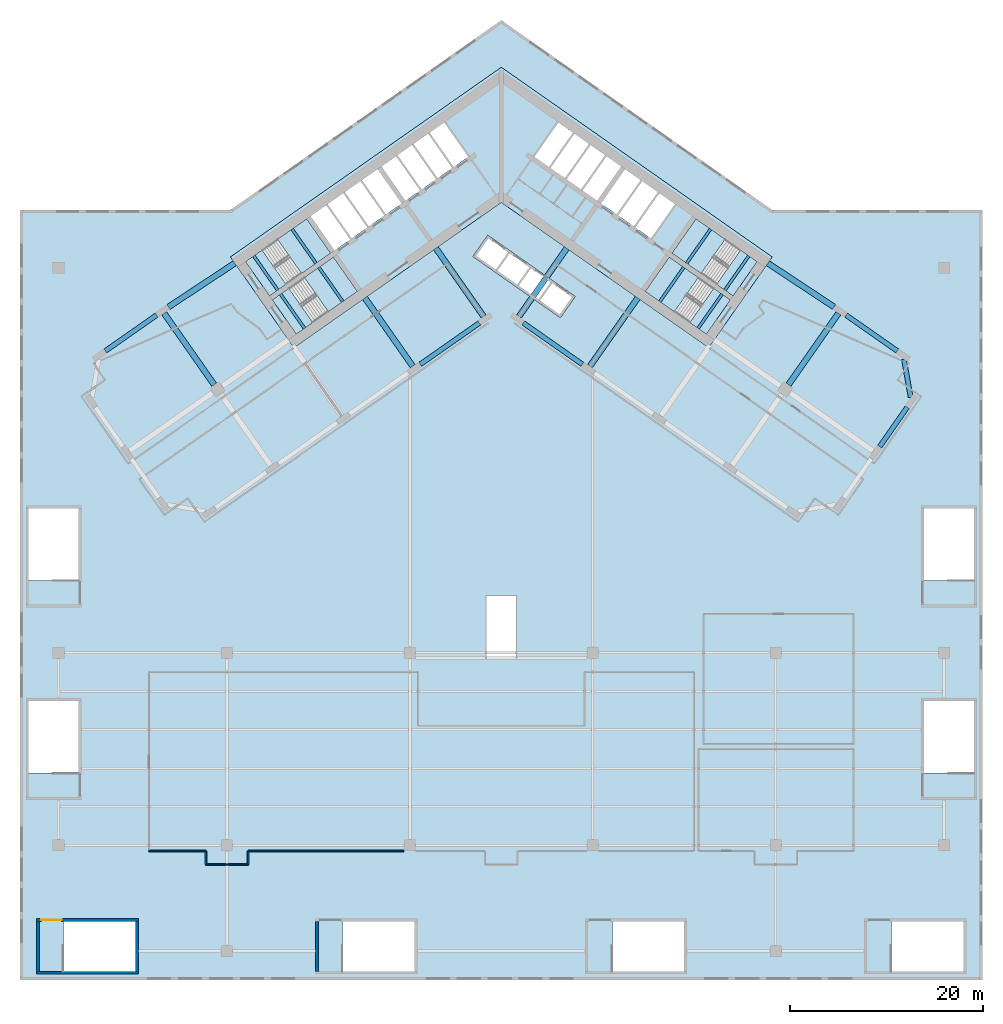
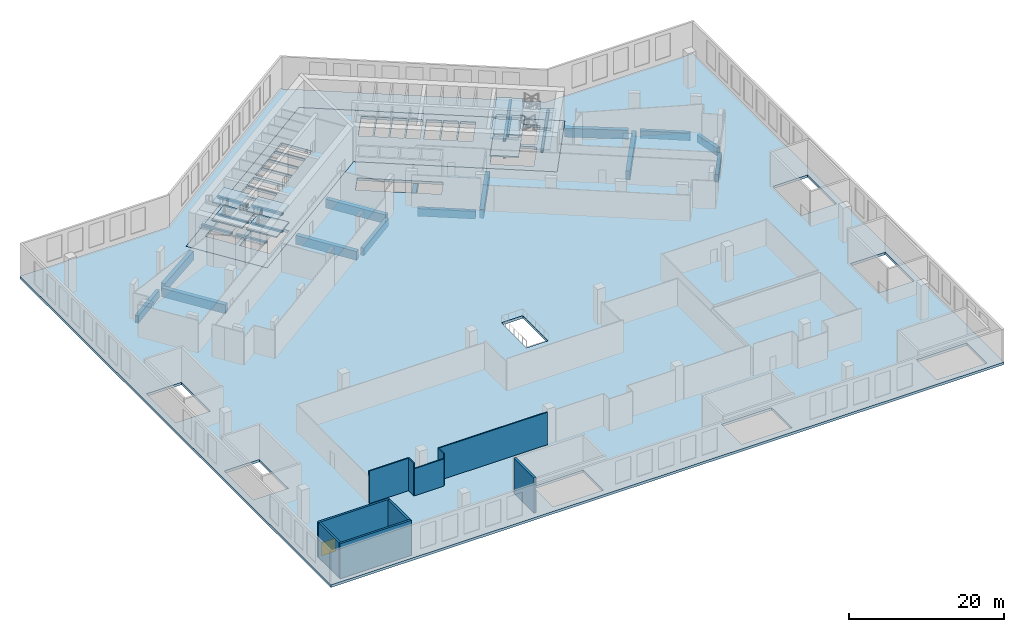
# One storey, part 2 of 15: 26 beams, 14 slabs, 10 walls, 1 door, 1 opening, 4 elements without a shape of their own.
"""IFC4 building model written with IfcOpenShell, lengths in metres."""

from ifc_helpers import new_model, si_unit, direction, frame, frame_2d, origin, origin_2d, place, context, subcontext, project, spatial, polyline, rectangle, outline, extrude, material, layer, layer_set, material_profile, profile_set, type_object, element, fill, aggregate, save


model = new_model("IFC4")

# Units and contexts
model_context = context("Model", 3, precision=1e-05, world=origin(), true_north=direction((0.0, 1.0)))
body_context = subcontext(model_context, "Body", "Model", "MODEL_VIEW")
ifc_project = project(units=[si_unit("LENGTHUNIT", "METRE"), si_unit("AREAUNIT", "SQUARE_METRE"), si_unit("VOLUMEUNIT", "CUBIC_METRE"), si_unit("PLANEANGLEUNIT", "RADIAN"), si_unit("MASSUNIT", "GRAM", prefix="KILO")], contexts=[model_context])

# Site, building, storey
site_placement = place(None, origin())
site = spatial("IfcSite", under=ifc_project, at=site_placement, CompositionType="ELEMENT")
building_placement = place(site_placement, origin())
building = spatial("IfcBuilding", under=site, at=building_placement, Name="Tel Ilan Convention Tower", CompositionType="ELEMENT")
storey_placement = place(building_placement, frame((0.0, 0.0, 43.0)))
storey = spatial("IfcBuildingStorey", under=building, at=storey_placement, Name="L06", CompositionType="ELEMENT", Elevation=43.0)

# Beams
ifc_material_1 = material(Name="Concrete C40/50", Category="concrete")
ifc_material_profile_1 = material_profile(ifc_material_1, rectangle(XDim=0.5, YDim=1.199951171875, at=origin_2d()), Name="RC 500x1200")
ifc_profile_set_1 = profile_set([ifc_material_profile_1], Name="Concrete C40/50")
beam_type_1 = type_object("IfcBeamType", Name="Beam RC 500x1200 Concrete C40/50", PredefinedType="BEAM", material=ifc_profile_set_1)
beam_1_placement = place(storey_placement, frame((-2.279541015625, -13.742919921875, -1.0), z_axis=(-0.819147803225, -0.57358249317, 0.0), x_axis=(0.57358249317, -0.819147803225, 0.0)))
element("IfcBeam", 1, at=beam_1_placement, inside=storey, type_object=beam_type_1, Name="L06 beam W-W-F1-W-F2", PredefinedType="BEAM", context=body_context, shape_type="SweptSolid", body=[
    extrude(rectangle(XDim=0.5, YDim=1.199951171875, at=origin_2d()), origin(), (0.0, 0.0, 1.0), 7.500244140625),
])
beam_2_placement = place(storey_placement, frame((-41.135498046875, -16.656494140625, -1.0), z_axis=(0.819178980414, 0.573537965655, 0.0), x_axis=(-0.573537965655, 0.819178980414, 0.0)))
element("IfcBeam", 2, at=beam_2_placement, inside=storey, type_object=beam_type_1, Name="L06 beam W-W-BC-W-B4", PredefinedType="BEAM", context=body_context, shape_type="SweptSolid", body=[
    extrude(rectangle(XDim=0.5, YDim=1.199951171875, at=origin_2d()), origin(), (0.0, 0.0, 1.0), 6.5),
])
beam_3_placement = place(storey_placement, frame((2.279541015625, -13.742919921875, -1.0), z_axis=(0.819147803225, -0.57358249317, 0.0), x_axis=(0.57358249317, 0.819147803225, 0.0)))
element("IfcBeam", 3, at=beam_3_placement, inside=storey, type_object=beam_type_1, Name="L06 beam E-E-F1-E-F2", PredefinedType="BEAM", context=body_context, shape_type="SweptSolid", body=[
    extrude(rectangle(XDim=0.5, YDim=1.199951171875, at=origin_2d()), origin(), (0.0, 0.0, 1.0), 7.500244140625),
])
beam_4_placement = place(storey_placement, frame((39.298828125, -26.601806640625, -1.0), z_axis=(0.573586866468, 0.819144740944, 0.0), x_axis=(-0.819144740944, 0.573586866468, 0.0)))
element("IfcBeam", 4, at=beam_4_placement, inside=storey, type_object=beam_type_1, Name="L06 beam E-E-E2-E-E3", PredefinedType="BEAM", context=body_context, shape_type="SweptSolid", body=[
    extrude(rectangle(XDim=0.5, YDim=1.199951171875, at=origin_2d()), origin(), (0.0, 0.0, 1.0), 5.0),
])
beam_5_placement = place(storey_placement, frame((42.523193359375, -21.473876953125, -1.0), z_axis=(-0.173605641124, 0.984815252405, 0.0), x_axis=(-0.984815252405, -0.173605641124, 0.0)))
element("IfcBeam", 5, at=beam_5_placement, inside=storey, type_object=beam_type_1, Name="L06 beam E-E-E3-E-BC", PredefinedType="BEAM", context=body_context, shape_type="SweptSolid", body=[
    extrude(rectangle(XDim=0.5, YDim=1.199951171875, at=origin_2d()), origin(), (0.0, 0.0, 1.0), 4.030517578125),
])
beam_6_placement = place(storey_placement, frame((41.135498046875, -16.656494140625, -1.0), z_axis=(-0.819178980414, 0.573537965655, 0.0), x_axis=(-0.573537965655, -0.819178980414, 0.0)))
element("IfcBeam", 6, at=beam_6_placement, inside=storey, type_object=beam_type_1, Name="L06 beam E-E-BC-E-B4", PredefinedType="BEAM", context=body_context, shape_type="SweptSolid", body=[
    extrude(rectangle(XDim=0.5, YDim=1.199951171875, at=origin_2d()), origin(), (0.0, 0.0, 1.0), 6.5),
])
ifc_material_2 = material(Name="Concrete C40/50", Category="concrete")
ifc_material_profile_2 = material_profile(ifc_material_2, rectangle(XDim=0.60009765625, YDim=1.39990234375, at=origin_2d()), Name="RC 600x1400")
ifc_profile_set_2 = profile_set([ifc_material_profile_2], Name="Concrete C40/50")
beam_type_2 = type_object("IfcBeamType", Name="Beam RC 600x1400 Concrete C40/50", PredefinedType="BEAM", material=ifc_profile_set_2)
beam_7_placement = place(storey_placement, frame((-34.570556640625, -12.08447265625, -1.10009765625), z_axis=(0.834273603487, 0.551350663847, 0.0), x_axis=(-0.551350663847, 0.834273603487, 0.0)))
element("IfcBeam", 7, at=beam_7_placement, inside=storey, type_object=beam_type_2, Name="L06 beam W-W-B4-core", PredefinedType="BEAM", context=body_context, shape_type="SweptSolid", body=[
    extrude(rectangle(XDim=0.60009765625, YDim=1.39990234375, at=origin_2d()), origin(), (0.0, 0.0, 1.0), 8.2529296875),
])
for number, where, z_axis, x_axis, name in (
    (8, (-1.83740234375, -13.06689453125, -1.10009765625), (-0.573574099654, 0.819153680457, 0.0), (-0.819153680457, -0.573574099654, 0.0), "L06 beam W-W-F1-core"),
    (9, (-9.209716796875, -18.229248046875, -1.10009765625), (-0.573574099654, 0.819153680457, 0.0), (-0.819153680457, -0.573574099654, 0.0), "L06 beam W-W-F2-core"),
):
    element("IfcBeam", number, at=place(storey_placement, frame(where, z_axis=z_axis, x_axis=x_axis)), inside=storey, type_object=beam_type_2, Name=name, PredefinedType="BEAM", context=body_context, shape_type="SweptSolid", body=[
        extrude(rectangle(XDim=0.60009765625, YDim=1.39990234375, at=origin_2d()), origin(), (0.0, 0.0, 1.0), 8.64990234375),
    ])
beam_8_placement = place(storey_placement, frame((-29.83349609375, -20.1572265625, -1.10009765625), z_axis=(-0.57358002233, 0.819149533348, 0.0), x_axis=(-0.819149533348, -0.57358002233, 0.0)))
element("IfcBeam", 10, at=beam_8_placement, inside=storey, type_object=beam_type_2, Name="L06 beam W-W-M4-W-B4", PredefinedType="BEAM", context=body_context, shape_type="SweptSolid", body=[
    extrude(rectangle(XDim=0.60009765625, YDim=1.39990234375, at=origin_2d()), origin(), (0.0, 0.0, 1.0), 9.050048828125),
])
beam_9_placement = place(storey_placement, frame((34.570556640625, -12.08447265625, -1.10009765625), z_axis=(-0.834273603487, 0.551350663847, 0.0), x_axis=(-0.551350663847, -0.834273603487, 0.0)))
element("IfcBeam", 11, at=beam_9_placement, inside=storey, type_object=beam_type_2, Name="L06 beam E-E-B4-core", PredefinedType="BEAM", context=body_context, shape_type="SweptSolid", body=[
    extrude(rectangle(XDim=0.60009765625, YDim=1.39990234375, at=origin_2d()), origin(), (0.0, 0.0, 1.0), 8.2529296875),
])
for number, where, z_axis, x_axis, name in (
    (12, (1.83740234375, -13.06689453125, -1.10009765625), (0.573574099654, 0.819153680457, 0.0), (-0.819153680457, 0.573574099654, 0.0), "L06 beam E-E-F1-core"),
    (13, (9.209716796875, -18.229248046875, -1.10009765625), (0.573574099654, 0.819153680457, 0.0), (-0.819153680457, 0.573574099654, 0.0), "L06 beam E-E-F2-core"),
):
    element("IfcBeam", number, at=place(storey_placement, frame(where, z_axis=z_axis, x_axis=x_axis)), inside=storey, type_object=beam_type_2, Name=name, PredefinedType="BEAM", context=body_context, shape_type="SweptSolid", body=[
        extrude(rectangle(XDim=0.60009765625, YDim=1.39990234375, at=origin_2d()), origin(), (0.0, 0.0, 1.0), 8.64990234375),
    ])
beam_10_placement = place(storey_placement, frame((29.83349609375, -20.1572265625, -1.10009765625), z_axis=(0.57358002233, 0.819149533348, 0.0), x_axis=(-0.819149533348, 0.57358002233, 0.0)))
element("IfcBeam", 14, at=beam_10_placement, inside=storey, type_object=beam_type_2, Name="L06 beam E-E-M4-E-B4", PredefinedType="BEAM", context=body_context, shape_type="SweptSolid", body=[
    extrude(rectangle(XDim=0.60009765625, YDim=1.39990234375, at=origin_2d()), origin(), (0.0, 0.0, 1.0), 9.050048828125),
])
ifc_material_3 = material(Name="Concrete C40/50", Category="concrete")
ifc_material_profile_3 = material_profile(ifc_material_3, rectangle(XDim=0.300048828125, YDim=0.300048828125, at=origin_2d()), Name="RC 300x300")
ifc_profile_set_3 = profile_set([ifc_material_profile_3], Name="Concrete C40/50")
beam_type_3 = type_object("IfcBeamType", Name="Landing Beam RC 300x300 Concrete C40/50", PredefinedType="BEAM", material=ifc_profile_set_3)
beam_11_placement = place(storey_placement, frame((-19.242919921875, -7.553466796875, 1.02490234375), z_axis=(-0.57356780395, 0.819158088694, 0.0), x_axis=(-0.819158088694, -0.57356780395, 0.0)))
element("IfcBeam", 15, at=beam_11_placement, inside=storey, type_object=beam_type_3, Name="S1 landing beam L06.1", PredefinedType="BEAM", context=body_context, shape_type="SweptSolid", body=[
    extrude(rectangle(XDim=0.300048828125, YDim=0.300048828125, at=origin_2d()), origin(), (0.0, 0.0, 1.0), 4.35009765625),
])
beam_12_placement = place(storey_placement, frame((-23.219482421875, -10.337646484375, 2.39990234375), z_axis=(-0.573556512523, 0.819165994742, 0.0), x_axis=(-0.819165994742, -0.573556512523, 0.0)))
element("IfcBeam", 16, at=beam_12_placement, inside=storey, type_object=beam_type_3, Name="S1 landing beam L06.2", PredefinedType="BEAM", context=body_context, shape_type="SweptSolid", body=[
    extrude(rectangle(XDim=0.300048828125, YDim=0.300048828125, at=origin_2d()), origin(), (0.0, 0.0, 1.0), 4.349853515625),
])
beam_13_placement = place(storey_placement, frame((-19.242919921875, -7.553466796875, 3.77490234375), z_axis=(-0.57356780395, 0.819158088694, 0.0), x_axis=(-0.819158088694, -0.57356780395, 0.0)))
element("IfcBeam", 17, at=beam_13_placement, inside=storey, type_object=beam_type_3, Name="S1 landing beam L06.3", PredefinedType="BEAM", context=body_context, shape_type="SweptSolid", body=[
    extrude(rectangle(XDim=0.300048828125, YDim=0.300048828125, at=origin_2d()), origin(), (0.0, 0.0, 1.0), 4.35009765625),
])
for number, where, z_axis, x_axis, name in (
    (18, (-16.461181640625, -11.526123046875, 1.02490234375), (-0.573594173421, 0.819139624372, 0.0), (-0.819139624372, -0.573594173421, 0.0), "S2 landing beam L06.1"),
    (19, (-20.4375, -14.310546875, 2.39990234375), (-0.573594173421, 0.819139624372, 0.0), (-0.819139624372, -0.573594173421, 0.0), "S2 landing beam L06.2"),
    (20, (-16.461181640625, -11.526123046875, 3.77490234375), (-0.573594173421, 0.819139624372, 0.0), (-0.819139624372, -0.573594173421, 0.0), "S2 landing beam L06.3"),
):
    element("IfcBeam", number, at=place(storey_placement, frame(where, z_axis=z_axis, x_axis=x_axis)), inside=storey, type_object=beam_type_3, Name=name, PredefinedType="BEAM", context=body_context, shape_type="SweptSolid", body=[
        extrude(rectangle(XDim=0.300048828125, YDim=0.300048828125, at=origin_2d()), origin(), (0.0, 0.0, 1.0), 4.349853515625),
    ])
beam_14_placement = place(storey_placement, frame((21.738037109375, -3.989990234375, 1.02490234375), z_axis=(-0.57356780395, -0.819158088694, 0.0), x_axis=(0.819158088694, -0.57356780395, 0.0)))
element("IfcBeam", 21, at=beam_14_placement, inside=storey, type_object=beam_type_3, Name="S3 landing beam L06.1", PredefinedType="BEAM", context=body_context, shape_type="SweptSolid", body=[
    extrude(rectangle(XDim=0.300048828125, YDim=0.300048828125, at=origin_2d()), origin(), (0.0, 0.0, 1.0), 4.35009765625),
])
beam_15_placement = place(storey_placement, frame((25.71435546875, -6.7744140625, 2.39990234375), z_axis=(-0.573556512523, -0.819165994742, 0.0), x_axis=(0.819165994742, -0.573556512523, 0.0)))
element("IfcBeam", 22, at=beam_15_placement, inside=storey, type_object=beam_type_3, Name="S3 landing beam L06.2", PredefinedType="BEAM", context=body_context, shape_type="SweptSolid", body=[
    extrude(rectangle(XDim=0.300048828125, YDim=0.300048828125, at=origin_2d()), origin(), (0.0, 0.0, 1.0), 4.349853515625),
])
beam_16_placement = place(storey_placement, frame((21.738037109375, -3.989990234375, 3.77490234375), z_axis=(-0.57356780395, -0.819158088694, 0.0), x_axis=(0.819158088694, -0.57356780395, 0.0)))
element("IfcBeam", 23, at=beam_16_placement, inside=storey, type_object=beam_type_3, Name="S3 landing beam L06.3", PredefinedType="BEAM", context=body_context, shape_type="SweptSolid", body=[
    extrude(rectangle(XDim=0.300048828125, YDim=0.300048828125, at=origin_2d()), origin(), (0.0, 0.0, 1.0), 4.35009765625),
])
for number, where, z_axis, x_axis, name in (
    (24, (18.956298828125, -7.962890625, 1.02490234375), (-0.573594173421, -0.819139624372, 0.0), (0.819139624372, -0.573594173421, 0.0), "S4 landing beam L06.1"),
    (25, (22.9326171875, -10.747314453125, 2.39990234375), (-0.573594173421, -0.819139624372, 0.0), (0.819139624372, -0.573594173421, 0.0), "S4 landing beam L06.2"),
    (26, (18.956298828125, -7.962890625, 3.77490234375), (-0.573594173421, -0.819139624372, 0.0), (0.819139624372, -0.573594173421, 0.0), "S4 landing beam L06.3"),
):
    element("IfcBeam", number, at=place(storey_placement, frame(where, z_axis=z_axis, x_axis=x_axis)), inside=storey, type_object=beam_type_3, Name=name, PredefinedType="BEAM", context=body_context, shape_type="SweptSolid", body=[
        extrude(rectangle(XDim=0.300048828125, YDim=0.300048828125, at=origin_2d()), origin(), (0.0, 0.0, 1.0), 4.349853515625),
    ])

# Stair, slabs
ifc_material_4 = material(Name="Concrete C40/50", Category="concrete")
stair_type = type_object("IfcStairType", Name="Pressurised Exit Stair 32 risers 172 mm", PredefinedType="HALF_TURN_STAIR", material=ifc_material_4)
stair_1_placement = place(storey_placement, origin())
stair_1 = element("IfcStair", 27, at=stair_1_placement, inside=storey, type_object=stair_type, Name="L06 Pressurised Stair S1", PredefinedType="HALF_TURN_STAIR")
ifc_material_5 = material(Name="Concrete C40/50", Category="concrete")
ifc_layer_1 = layer(ifc_material_5, 0.199951171875)
ifc_layer_set_1 = layer_set([ifc_layer_1], Name="Concrete Stair Landing 200 mm C40/50")
slab_type_1 = type_object("IfcSlabType", Name="Concrete Stair Landing 200 mm", PredefinedType="LANDING", material=ifc_layer_set_1)
slab_1_placement = place(storey_placement, frame((0.0, 0.0, 1.175048828125)))
slab_1 = element("IfcSlab", 28, at=slab_1_placement, type_object=slab_type_1, Name="S1 landing 1", PredefinedType="LANDING", context=body_context, shape_type="SweptSolid", body=[
    extrude(outline(polyline([(-20.754638671875, -8.61181640625), (-17.7314453125, -6.494873046875), (-20.226318359375, -2.931640625), (-23.249755859375, -5.048583984375), (-20.754638671875, -8.61181640625)])), origin(), (0.0, 0.0, 1.0), 0.199951171875),
])
slab_2_placement = place(storey_placement, frame((0.0, 0.0, 2.550048828125)))
slab_2 = element("IfcSlab", 29, at=slab_2_placement, type_object=slab_type_1, Name="S1 landing 2", PredefinedType="LANDING", context=body_context, shape_type="SweptSolid", body=[
    extrude(outline(polyline([(-24.079833984375, -10.940185546875), (-22.35888671875, -9.735107421875), (-24.85400390625, -6.171875), (-26.574951171875, -7.376708984375), (-24.079833984375, -10.940185546875)])), origin(), (0.0, 0.0, 1.0), 0.199951171875),
])
slab_3_placement = place(storey_placement, frame((0.0, 0.0, 3.925048828125)))
slab_3 = element("IfcSlab", 30, at=slab_3_placement, type_object=slab_type_1, Name="S1 landing 3", PredefinedType="LANDING", context=body_context, shape_type="SweptSolid", body=[
    extrude(outline(polyline([(-20.754638671875, -8.61181640625), (-17.7314453125, -6.494873046875), (-20.226318359375, -2.931640625), (-23.249755859375, -5.048583984375), (-20.754638671875, -8.61181640625)])), origin(), (0.0, 0.0, 1.0), 0.199951171875),
])
aggregate(stair_1, [slab_1, slab_2, slab_3])

stair_2_placement = place(storey_placement, origin())
stair_2 = element("IfcStair", 31, at=stair_2_placement, inside=storey, type_object=stair_type, Name="L06 Pressurised Stair S2", PredefinedType="HALF_TURN_STAIR")
slab_4_placement = place(storey_placement, frame((0.0, 0.0, 1.175048828125)))
slab_4 = element("IfcSlab", 32, at=slab_4_placement, type_object=slab_type_1, Name="S2 landing 1", PredefinedType="LANDING", context=body_context, shape_type="SweptSolid", body=[
    extrude(outline(polyline([(-17.972900390625, -12.584716796875), (-14.949462890625, -10.4677734375), (-17.444580078125, -6.904541015625), (-20.468017578125, -9.021484375), (-17.972900390625, -12.584716796875)])), origin(), (0.0, 0.0, 1.0), 0.199951171875),
])
slab_5_placement = place(storey_placement, frame((0.0, 0.0, 2.550048828125)))
slab_5 = element("IfcSlab", 33, at=slab_5_placement, type_object=slab_type_1, Name="S2 landing 2", PredefinedType="LANDING", context=body_context, shape_type="SweptSolid", body=[
    extrude(outline(polyline([(-21.2978515625, -14.9130859375), (-19.5771484375, -13.7080078125), (-22.072021484375, -10.144775390625), (-23.79296875, -11.349609375), (-21.2978515625, -14.9130859375)])), origin(), (0.0, 0.0, 1.0), 0.199951171875),
])
slab_6_placement = place(storey_placement, frame((0.0, 0.0, 3.925048828125)))
slab_6 = element("IfcSlab", 34, at=slab_6_placement, type_object=slab_type_1, Name="S2 landing 3", PredefinedType="LANDING", context=body_context, shape_type="SweptSolid", body=[
    extrude(outline(polyline([(-17.972900390625, -12.584716796875), (-14.949462890625, -10.4677734375), (-17.444580078125, -6.904541015625), (-20.468017578125, -9.021484375), (-17.972900390625, -12.584716796875)])), origin(), (0.0, 0.0, 1.0), 0.199951171875),
])
aggregate(stair_2, [slab_4, slab_5, slab_6])

stair_3_placement = place(storey_placement, origin())
stair_3 = element("IfcStair", 35, at=stair_3_placement, inside=storey, type_object=stair_type, Name="L06 Pressurised Stair S3", PredefinedType="HALF_TURN_STAIR")
slab_7_placement = place(storey_placement, frame((0.0, 0.0, 1.175048828125)))
slab_7 = element("IfcSlab", 36, at=slab_7_placement, type_object=slab_type_1, Name="S3 landing 1", PredefinedType="LANDING", context=body_context, shape_type="SweptSolid", body=[
    extrude(outline(polyline([(23.249755859375, -5.048583984375), (20.226318359375, -2.931640625), (17.7314453125, -6.494873046875), (20.754638671875, -8.61181640625), (23.249755859375, -5.048583984375)])), origin(), (0.0, 0.0, 1.0), 0.199951171875),
])
slab_8_placement = place(storey_placement, frame((0.0, 0.0, 2.550048828125)))
slab_8 = element("IfcSlab", 37, at=slab_8_placement, type_object=slab_type_1, Name="S3 landing 2", PredefinedType="LANDING", context=body_context, shape_type="SweptSolid", body=[
    extrude(outline(polyline([(26.574951171875, -7.376708984375), (24.85400390625, -6.171875), (22.35888671875, -9.735107421875), (24.079833984375, -10.940185546875), (26.574951171875, -7.376708984375)])), origin(), (0.0, 0.0, 1.0), 0.199951171875),
])
slab_9_placement = place(storey_placement, frame((0.0, 0.0, 3.925048828125)))
slab_9 = element("IfcSlab", 38, at=slab_9_placement, type_object=slab_type_1, Name="S3 landing 3", PredefinedType="LANDING", context=body_context, shape_type="SweptSolid", body=[
    extrude(outline(polyline([(23.249755859375, -5.048583984375), (20.226318359375, -2.931640625), (17.7314453125, -6.494873046875), (20.754638671875, -8.61181640625), (23.249755859375, -5.048583984375)])), origin(), (0.0, 0.0, 1.0), 0.199951171875),
])
aggregate(stair_3, [slab_7, slab_8, slab_9])

stair_4_placement = place(storey_placement, origin())
stair_4 = element("IfcStair", 39, at=stair_4_placement, inside=storey, type_object=stair_type, Name="L06 Pressurised Stair S4", PredefinedType="HALF_TURN_STAIR")
slab_10_placement = place(storey_placement, frame((0.0, 0.0, 1.175048828125)))
slab_10 = element("IfcSlab", 40, at=slab_10_placement, type_object=slab_type_1, Name="S4 landing 1", PredefinedType="LANDING", context=body_context, shape_type="SweptSolid", body=[
    extrude(outline(polyline([(20.468017578125, -9.021484375), (17.444580078125, -6.904541015625), (14.949462890625, -10.4677734375), (17.972900390625, -12.584716796875), (20.468017578125, -9.021484375)])), origin(), (0.0, 0.0, 1.0), 0.199951171875),
])
slab_11_placement = place(storey_placement, frame((0.0, 0.0, 2.550048828125)))
slab_11 = element("IfcSlab", 41, at=slab_11_placement, type_object=slab_type_1, Name="S4 landing 2", PredefinedType="LANDING", context=body_context, shape_type="SweptSolid", body=[
    extrude(outline(polyline([(23.79296875, -11.349609375), (22.072021484375, -10.144775390625), (19.5771484375, -13.7080078125), (21.2978515625, -14.9130859375), (23.79296875, -11.349609375)])), origin(), (0.0, 0.0, 1.0), 0.199951171875),
])
slab_12_placement = place(storey_placement, frame((0.0, 0.0, 3.925048828125)))
slab_12 = element("IfcSlab", 42, at=slab_12_placement, type_object=slab_type_1, Name="S4 landing 3", PredefinedType="LANDING", context=body_context, shape_type="SweptSolid", body=[
    extrude(outline(polyline([(20.468017578125, -9.021484375), (17.444580078125, -6.904541015625), (14.949462890625, -10.4677734375), (17.972900390625, -12.584716796875), (20.468017578125, -9.021484375)])), origin(), (0.0, 0.0, 1.0), 0.199951171875),
])
aggregate(stair_4, [slab_10, slab_11, slab_12])

# Slabs
ifc_material_6 = material(Name="Concrete C40/50", Category="concrete")
ifc_layer_2 = layer(ifc_material_6, 0.39990234375)
ifc_layer_set_2 = layer_set([ifc_layer_2], Name="Core Floor Slab 400 mm C40/50")
slab_type_2 = type_object("IfcSlabType", Name="Core Floor Slab 400 mm C40/50", PredefinedType="FLOOR", material=ifc_layer_set_2)
slab_13_placement = place(storey_placement, frame((0.0, 0.0, -0.39990234375)))
element("IfcSlab", 43, at=slab_13_placement, inside=storey, type_object=slab_type_2, Name="L06 core floor 1", PredefinedType="FLOOR", context=body_context, shape_type="SweptSolid", body=[
    extrude(outline(polyline([(-28.1396484375, -6.885498046875), (0.0, 12.818115234375), (28.1396484375, -6.885498046875), (21.54345703125, -16.3056640625), (0.0, -1.220703125), (-21.54345703125, -16.3056640625), (-28.1396484375, -6.885498046875)]), holes=[polyline([(-19.5771484375, -13.7080078125), (-14.949462890625, -10.4677734375), (-17.444580078125, -6.904541015625), (-22.072021484375, -10.144775390625), (-19.5771484375, -13.7080078125)]), polyline([(-22.35888671875, -9.735107421875), (-17.7314453125, -6.494873046875), (-20.226318359375, -2.931640625), (-24.85400390625, -6.171875), (-22.35888671875, -9.735107421875)]), polyline([(-15.7041015625, -5.0751953125), (-18.198974609375, -1.511962890625), (-19.81689453125, -2.644775390625), (-17.32177734375, -6.2080078125), (-15.7041015625, -5.0751953125)]), polyline([(-13.92236328125, -3.827880859375), (-16.41748046875, -0.264404296875), (-18.03515625, -1.397216796875), (-15.5400390625, -4.960693359375), (-13.92236328125, -3.827880859375)]), polyline([(-12.140625, -2.580078125), (-14.6357421875, 0.983154296875), (-16.25341796875, -0.149658203125), (-13.758544921875, -3.712890625), (-12.140625, -2.580078125)]), polyline([(-10.35888671875, -1.332763671875), (-12.85400390625, 2.230712890625), (-14.471923828125, 1.097900390625), (-11.976806640625, -2.465576171875), (-10.35888671875, -1.332763671875)]), polyline([(-8.444091796875, 0.008056640625), (-10.939208984375, 3.5712890625), (-12.444580078125, 2.517333984375), (-9.949462890625, -1.0458984375), (-8.444091796875, 0.008056640625)]), polyline([(-6.775146484375, 1.1767578125), (-9.270263671875, 4.739990234375), (-10.775390625, 3.68603515625), (-8.280517578125, 0.122802734375), (-6.775146484375, 1.1767578125)]), polyline([(-5.106201171875, 2.345458984375), (-7.601318359375, 5.90869140625), (-9.1064453125, 4.854736328125), (-6.611328125, 1.29150390625), (-5.106201171875, 2.345458984375)]), polyline([(-3.437255859375, 3.513916015625), (-5.93212890625, 7.077392578125), (-7.4375, 6.0234375), (-4.9423828125, 2.460205078125), (-3.437255859375, 3.513916015625)]), polyline([(22.072021484375, -10.144775390625), (17.444580078125, -6.904541015625), (14.949462890625, -10.4677734375), (19.5771484375, -13.7080078125), (22.072021484375, -10.144775390625)]), polyline([(24.85400390625, -6.171875), (20.226318359375, -2.931640625), (17.7314453125, -6.494873046875), (22.35888671875, -9.735107421875), (24.85400390625, -6.171875)]), polyline([(13.92236328125, -3.827880859375), (15.5400390625, -4.960693359375), (18.03515625, -1.397216796875), (16.41748046875, -0.264404296875), (13.92236328125, -3.827880859375)]), polyline([(12.140625, -2.580078125), (13.758544921875, -3.712890625), (16.25341796875, -0.149658203125), (14.6357421875, 0.983154296875), (12.140625, -2.580078125)]), polyline([(10.35888671875, -1.332763671875), (11.976806640625, -2.465576171875), (14.471923828125, 1.097900390625), (12.85400390625, 2.230712890625), (10.35888671875, -1.332763671875)]), polyline([(8.444091796875, 0.008056640625), (9.949462890625, -1.0458984375), (12.444580078125, 2.517333984375), (10.939208984375, 3.5712890625), (8.444091796875, 0.008056640625)]), polyline([(6.775146484375, 1.1767578125), (8.280517578125, 0.122802734375), (10.775390625, 3.68603515625), (9.270263671875, 4.739990234375), (6.775146484375, 1.1767578125)]), polyline([(5.106201171875, 2.345458984375), (6.611328125, 1.29150390625), (9.1064453125, 4.854736328125), (7.601318359375, 5.90869140625), (5.106201171875, 2.345458984375)]), polyline([(3.437255859375, 3.513916015625), (4.9423828125, 2.460205078125), (7.4375, 6.0234375), (5.93212890625, 7.077392578125), (3.437255859375, 3.513916015625)])]), origin(), (0.0, 0.0, 1.0), 0.39990234375),
])
ifc_material_7 = material(Name="Concrete C40/50", Category="concrete")
ifc_layer_3 = layer(ifc_material_7, 0.39990234375)
ifc_layer_set_3 = layer_set([ifc_layer_3], Name="Podium Floor Slab 400 mm C40/50")
slab_type_3 = type_object("IfcSlabType", Name="Podium Floor Slab 400 mm C40/50", PredefinedType="FLOOR", material=ifc_layer_set_3)
slab_14_placement = place(storey_placement, frame((0.0, 0.0, -0.39990234375)))
element("IfcSlab", 44, at=slab_14_placement, inside=storey, type_object=slab_type_3, Name="L06 floor slab", PredefinedType="FLOOR", context=body_context, shape_type="SweptSolid", body=[
    extrude(outline(polyline([(-50.0, -2.0), (-28.13623046875, -2.0), (0.0, 17.701171875), (28.13623046875, -2.0), (50.0, -2.0), (50.0, -82.0), (-50.0, -82.0), (-50.0, -2.0)]), holes=[polyline([(43.89990234375, -53.0), (43.89990234375, -60.47412109375), (49.10009765625, -60.47412109375), (49.10009765625, -53.0), (43.89990234375, -53.0)]), polyline([(49.10009765625, -33.0), (43.89990234375, -33.0), (43.89990234375, -40.47412109375), (49.10009765625, -40.47412109375), (49.10009765625, -33.0)]), polyline([(48.0, -75.89990234375), (40.52587890625, -75.89990234375), (40.52587890625, -81.10009765625), (48.0, -81.10009765625), (48.0, -75.89990234375)]), polyline([(21.54345703125, -16.3056640625), (28.1396484375, -6.885498046875), (0.0, 12.818115234375), (-28.1396484375, -6.885498046875), (-21.54345703125, -16.3056640625), (0.0, -1.220703125), (21.54345703125, -16.3056640625)]), polyline([(11.52587890625, -75.89990234375), (11.52587890625, -81.10009765625), (19.0, -81.10009765625), (19.0, -75.89990234375), (11.52587890625, -75.89990234375)]), polyline([(6.13427734375, -13.206787109375), (7.682861328125, -10.9951171875), (-1.40966796875, -4.62841796875), (-2.95849609375, -6.840087890625), (6.13427734375, -13.206787109375)]), polyline([(-1.60009765625, -42.035888671875), (-1.60009765625, -48.535888671875), (1.60009765625, -48.535888671875), (1.60009765625, -42.035888671875), (-1.60009765625, -42.035888671875)]), polyline([(-16.47412109375, -75.89990234375), (-16.47412109375, -81.10009765625), (-9.0, -81.10009765625), (-9.0, -75.89990234375), (-16.47412109375, -75.89990234375)]), polyline([(-45.47412109375, -75.89990234375), (-45.47412109375, -81.10009765625), (-38.0, -81.10009765625), (-38.0, -75.89990234375), (-45.47412109375, -75.89990234375)]), polyline([(-49.10009765625, -33.0), (-49.10009765625, -40.47412109375), (-43.89990234375, -40.47412109375), (-43.89990234375, -33.0), (-49.10009765625, -33.0)]), polyline([(-43.89990234375, -53.0), (-49.10009765625, -53.0), (-49.10009765625, -60.47412109375), (-43.89990234375, -60.47412109375), (-43.89990234375, -53.0)])]), origin(), (0.0, 0.0, 1.0), 0.39990234375),
])

# Walls
ifc_material_8 = material(Name="Plasterboard on Steel Studs", Category="steel")
ifc_layer_4 = layer(ifc_material_8, 0.14990234375)
ifc_layer_set_4 = layer_set([ifc_layer_4], Name="Fire-rated Partition 150 EI 60")
wall_type_1 = type_object("IfcWallType", Name="Fire-rated Partition 150 EI 60", PredefinedType="PARTITIONING", material=ifc_layer_set_4)
wall_1_placement = place(storey_placement, frame((-30.698974609375, -70.0009765625, 0.0), z_axis=(0.0, 0.0, 1.0), x_axis=(1.0, 0.0, 0.0)))
element("IfcWall", 45, at=wall_1_placement, inside=storey, type_object=wall_type_1, Name="Partition 042", PredefinedType="PARTITIONING", context=body_context, shape_type="SweptSolid", body=[
    extrude(rectangle(XDim=4.39794921875, YDim=0.14990234375, at=frame_2d((2.198974609375, 0.0))), origin(), (0.0, 0.0, 1.0), 4.280029296875),
])
wall_2_placement = place(storey_placement, frame((-36.60009765625, -68.60009765625, 0.0), z_axis=(0.0, 0.0, 1.0), x_axis=(1.0, 0.0, 0.0)))
element("IfcWall", 46, at=wall_2_placement, inside=storey, type_object=wall_type_1, Name="Partition 046", PredefinedType="PARTITIONING", context=body_context, shape_type="SweptSolid", body=[
    extrude(rectangle(XDim=5.900146484375, YDim=0.14990234375, at=frame_2d((2.9501953125, 0.0))), origin(), (0.0, 0.0, 1.0), 5.10009765625),
])
for number, where, z_axis, x_axis, name in (
    (47, (-30.699951171875, -68.60009765625, 0.0), (0.0, 0.0, 1.0), (0.0, -1.0, 0.0), "Partition 047"),
    (48, (-26.300048828125, -70.001708984375, 0.0), (0.0, 0.0, 1.0), (0.0, 1.0, 0.0), "Partition 048"),
):
    element("IfcWall", number, at=place(storey_placement, frame(where, z_axis=z_axis, x_axis=x_axis)), inside=storey, type_object=wall_type_1, Name=name, PredefinedType="PARTITIONING", context=body_context, shape_type="SweptSolid", body=[
        extrude(rectangle(XDim=1.401611328125, YDim=0.14990234375, at=frame_2d((0.70068359375, 0.0))), origin(), (0.0, 0.0, 1.0), 5.10009765625),
    ])
wall_3_placement = place(storey_placement, frame((-26.300048828125, -68.60009765625, 0.0), z_axis=(0.0, 0.0, 1.0), x_axis=(1.0, 0.0, 0.0)))
element("IfcWall", 49, at=wall_3_placement, inside=storey, type_object=wall_type_1, Name="Partition 049", PredefinedType="PARTITIONING", context=body_context, shape_type="SweptSolid", body=[
    extrude(rectangle(XDim=16.179931640625, YDim=0.14990234375, at=frame_2d((8.08984375, 0.0))), origin(), (0.0, 0.0, 1.0), 5.10009765625),
])
ifc_material_9 = material(Name="Concrete C40/50", Category="concrete")
ifc_layer_5 = layer(ifc_material_9, 0.300048828125)
ifc_layer_set_5 = layer_set([ifc_layer_5], Name="Stair Enclosure Wall 300 mm C40/50")
wall_type_2 = type_object("IfcWallType", Name="Stair Enclosure Wall 300 mm C40/50", PredefinedType="SOLIDWALL", material=ifc_layer_set_5)
wall_4_placement = place(storey_placement, frame((-48.300048828125, -81.25, 0.0), z_axis=(0.0, 0.0, 1.0), x_axis=(1.0, 0.0, 0.0)))
element("IfcWall", 50, at=wall_4_placement, inside=storey, type_object=wall_type_2, Name="P1 stair enclosure wall S L06", PredefinedType="SOLIDWALL", context=body_context, shape_type="SweptSolid", body=[
    extrude(rectangle(XDim=10.60009765625, YDim=0.300048828125, at=frame_2d((5.300048828125, 0.0))), origin(), (0.0, 0.0, 1.0), 5.5),
])

# Wall, opening, door
wall_5_placement = place(storey_placement, frame((-48.300048828125, -75.75, 0.0), z_axis=(0.0, 0.0, 1.0), x_axis=(1.0, 0.0, 0.0)))
wall_5 = element("IfcWall", 51, at=wall_5_placement, inside=storey, type_object=wall_type_2, Name="P1 stair enclosure wall N L06", PredefinedType="SOLIDWALL", context=body_context, shape_type="SweptSolid", body=[
    extrude(rectangle(XDim=10.60009765625, YDim=0.300048828125, at=frame_2d((5.300048828125, 0.0))), origin(), (0.0, 0.0, 1.0), 5.5),
])
opening_placement = place(wall_5_placement, frame((0.512451171875, 0.0, 0.0)))
opening = element("IfcOpeningElement", 52, at=opening_placement, cuts=wall_5, Name="Opening PD109", PredefinedType="OPENING", context=body_context, shape_type="SweptSolid", body=[
    extrude(rectangle(XDim=2.10009765625, YDim=2.10009765625, at=frame_2d((1.050048828125, 1.050048828125))), frame((0.0, 0.159912109375, 0.0), z_axis=(0.0, -1.0, 0.0), x_axis=(1.0, 0.0, 0.0)), (0.0, 0.0, 1.0), 0.320068359375),
])
ifc_material_10 = material(Name="Galvanised Steel Door Leaf", Category="steel")
door_type = type_object("IfcDoorType", Name="Stair Fire Door 2100 x 2100 FD60S", OperationType="NOTDEFINED", PredefinedType="DOOR", material=ifc_material_10)
door_placement = place(opening_placement, origin())
door = element("IfcDoor", 53, at=door_placement, inside=storey, type_object=door_type, Name="Stair P1 floor door", OperationType="DOUBLE_DOOR_SINGLE_SWING", OverallHeight=2.10009765625, OverallWidth=2.10009765625, PredefinedType="DOOR", context=body_context, shape_type="SweptSolid", body=[
    extrude(rectangle(XDim=2.10009765625, YDim=2.10009765625, at=frame_2d((1.050048828125, 1.050048828125))), frame((0.0, 0.02490234375, 0.0), z_axis=(0.0, -1.0, 0.0), x_axis=(1.0, 0.0, 0.0)), (0.0, 0.0, 1.0), 0.050048828125),
])
fill(opening, door)

# Walls
for number, where, z_axis, x_axis, name in (
    (54, (-48.14990234375, -81.10009765625, 0.0), (0.0, 0.0, 1.0), (0.0, 1.0, 0.0), "P1 stair enclosure wall W L06"),
    (55, (-37.85009765625, -81.10009765625, 0.0), (0.0, 0.0, 1.0), (0.0, 1.0, 0.0), "P1 stair enclosure wall E L06"),
    (56, (-19.14990234375, -81.10009765625, 0.0), (0.0, 0.0, 1.0), (0.0, 1.0, 0.0), "P2 stair enclosure wall W L06"),
):
    element("IfcWall", number, at=place(storey_placement, frame(where, z_axis=z_axis, x_axis=x_axis)), inside=storey, type_object=wall_type_2, Name=name, PredefinedType="SOLIDWALL", context=body_context, shape_type="SweptSolid", body=[
        extrude(rectangle(XDim=5.2001953125, YDim=0.300048828125, at=frame_2d((2.60009765625, 0.0))), origin(), (0.0, 0.0, 1.0), 5.5),
    ])

save(model, "model.ifc")
